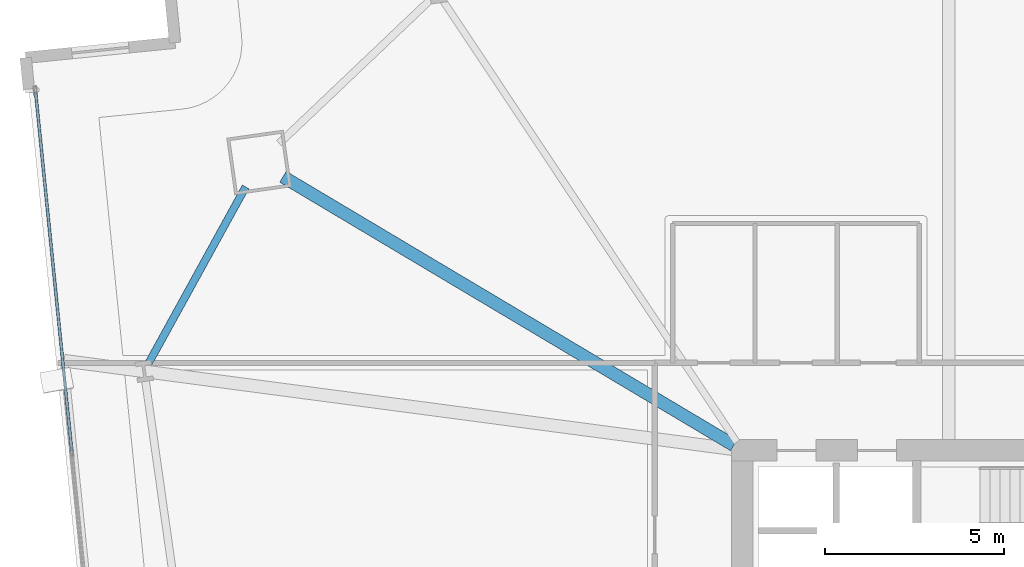
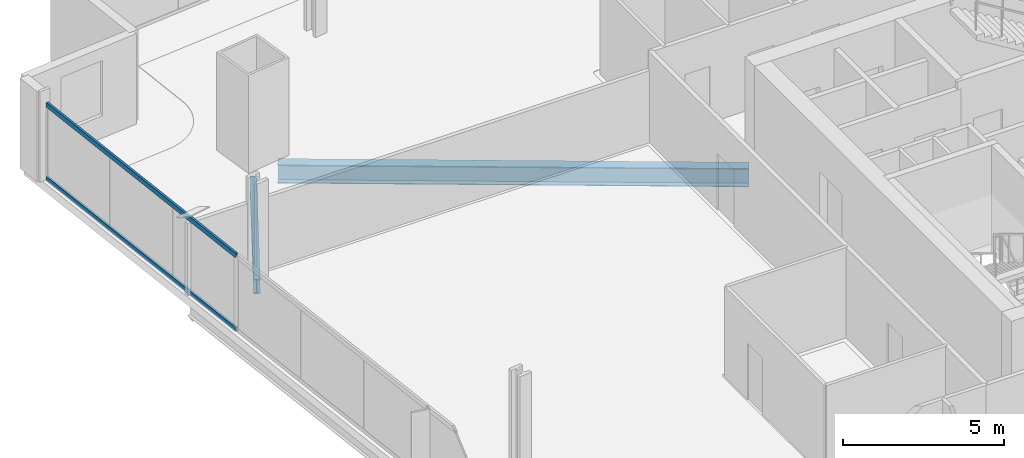
# One storey, part 15 of 33: 2 beams, 2 members, 1 element without a shape of its own.
"""IFC4 building model written with IfcOpenShell, lengths in metres."""

from ifc_helpers import new_model, si_unit, direction, frame, origin, origin_2d, place, context, subcontext, project, spatial, hollow_rectangle, i_section, extrude, material, material_profile, profile_set, type_object, element, aggregate, save


model = new_model("IFC4")

# Units and contexts
model_context = context("Model", 3, precision=1e-05, world=origin(), true_north=direction((0.0, 1.0)))
body_context = subcontext(model_context, "Body", "Model", "MODEL_VIEW")
ifc_project = project(units=[si_unit("LENGTHUNIT", "METRE"), si_unit("AREAUNIT", "SQUARE_METRE"), si_unit("VOLUMEUNIT", "CUBIC_METRE"), si_unit("PLANEANGLEUNIT", "RADIAN"), si_unit("MASSUNIT", "GRAM", prefix="KILO")], contexts=[model_context])

# Site, building, storey
site_placement = place(None, origin())
site = spatial("IfcSite", under=ifc_project, at=site_placement, CompositionType="ELEMENT")
building_placement = place(site_placement, origin())
building = spatial("IfcBuilding", under=site, at=building_placement, Name="Haldenkirk Collegiate Tower", CompositionType="ELEMENT")
storey_placement = place(building_placement, frame((0.0, 0.0, 47.699951171875)))
storey = spatial("IfcBuildingStorey", under=building, at=storey_placement, Name="L10", CompositionType="ELEMENT", Elevation=47.699951171875)

# Beams
ifc_material_1 = material(Name="Steel ASTM A992 Grade 50", Category="steel")
ifc_material_profile_1 = material_profile(ifc_material_1, i_section(OverallWidth=0.35498046875, OverallDepth=0.696044921875, WebThickness=0.015380859375, FlangeThickness=0.02490234375, at=origin_2d()), Name="W27X146")
ifc_profile_set_1 = profile_set([ifc_material_profile_1], Name="Steel ASTM A992 Grade 50")
beam_type_1 = type_object("IfcBeamType", Name="BM-GIRDER-W27X146", PredefinedType="BEAM", material=ifc_profile_set_1)
beam_1_placement = place(storey_placement, frame((14.14990234375, 41.6552734375, -0.657958984375), z_axis=(0.859106056552, -0.511797600225, 0.0), x_axis=(0.511797600225, 0.859106056552, 0.0)))
element("IfcBeam", 1, at=beam_1_placement, inside=storey, type_object=beam_type_1, Name="L10 primary floor girder 04", PredefinedType="BEAM", context=body_context, shape_type="SweptSolid", body=[
    extrude(i_section(OverallWidth=0.35498046875, OverallDepth=0.696044921875, WebThickness=0.015380859375, FlangeThickness=0.02490234375, at=origin_2d()), origin(), (0.0, 0.0, 1.0), 14.677490234375),
])
ifc_material_profile_2 = material_profile(ifc_material_1, i_section(OverallWidth=0.2119140625, OverallDepth=0.5439453125, WebThickness=0.01318359375, FlangeThickness=0.021240234375, at=origin_2d()), Name="W21X83")
ifc_profile_set_2 = profile_set([ifc_material_profile_2], Name="Steel ASTM A992 Grade 50")
beam_type_2 = type_object("IfcBeamType", Name="BM-SPANDREL-W21X83", PredefinedType="SPANDREL", material=ifc_profile_set_2)
beam_2_placement = place(storey_placement, frame((13.10400390625, 41.37109375, -0.58203125), z_axis=(-0.482003753736, -0.876169151126, 0.0), x_axis=(0.876169151126, -0.482003753736, 0.0)))
element("IfcBeam", 2, at=beam_2_placement, inside=storey, type_object=beam_type_2, Name="L10 perimeter spandrel beam 13", PredefinedType="SPANDREL", context=body_context, shape_type="SweptSolid", body=[
    extrude(i_section(OverallWidth=0.2119140625, OverallDepth=0.5439453125, WebThickness=0.01318359375, FlangeThickness=0.021240234375, at=origin_2d()), origin(), (0.0, 0.0, 1.0), 5.622802734375),
])

# Curtain wall, members
ifc_material_2 = material(Name="Anodised architectural bronze aluminium", Category="aluminium")
curtain_wall_type = type_object("IfcCurtainWallType", Name="CW-SYS1-CONVEX-LOW", PredefinedType="USERDEFINED", material=ifc_material_2)
curtain_wall_placement = place(storey_placement, origin())
curtain_wall = element("IfcCurtainWall", 3, at=curtain_wall_placement, inside=storey, type_object=curtain_wall_type, Name="L10 Lower tower convex bronze-framed unitised curtain wall", ObjectType="UNITISED CURTAIN WALL", PredefinedType="USERDEFINED")
ifc_material_profile_3 = material_profile(ifc_material_2, hollow_rectangle(XDim=0.080078125, YDim=0.179931640625, WallThickness=0.0048828125, at=origin_2d()), Name="CW-TRN-1A")
ifc_profile_set_3 = profile_set([ifc_material_profile_3], Name="Anodised architectural bronze aluminium")
member_type = type_object("IfcMemberType", Name="CW-TRN-1A", PredefinedType="USERDEFINED", material=ifc_profile_set_3)
member_1_placement = place(storey_placement, frame((8.239013671875, 33.998779296875, 0.0400390625), z_axis=(-0.100199127314, 0.994967403931, 0.0), x_axis=(-0.994967403931, -0.100199127314, 0.0)))
member_1 = element("IfcMember", 4, at=member_1_placement, type_object=member_type, Name="CW-1A transom 4.1", ObjectType="TRANSOM", PredefinedType="USERDEFINED", context=body_context, shape_type="SweptSolid", body=[
    extrude(hollow_rectangle(XDim=0.080078125, YDim=0.179931640625, WallThickness=0.0048828125, at=origin_2d()), origin(), (0.0, 0.0, 1.0), 10.080078125),
])
member_2_placement = place(storey_placement, frame((8.239013671875, 33.998779296875, 2.85107421875), z_axis=(-0.100199127314, 0.994967403931, 0.0), x_axis=(-0.994967403931, -0.100199127314, 0.0)))
member_2 = element("IfcMember", 5, at=member_2_placement, type_object=member_type, Name="CW-1A transom 4.2", ObjectType="TRANSOM", PredefinedType="USERDEFINED", context=body_context, shape_type="SweptSolid", body=[
    extrude(hollow_rectangle(XDim=0.080078125, YDim=0.179931640625, WallThickness=0.0048828125, at=origin_2d()), origin(), (0.0, 0.0, 1.0), 10.080078125),
])
aggregate(curtain_wall, [member_1, member_2])

save(model, "model.ifc")
